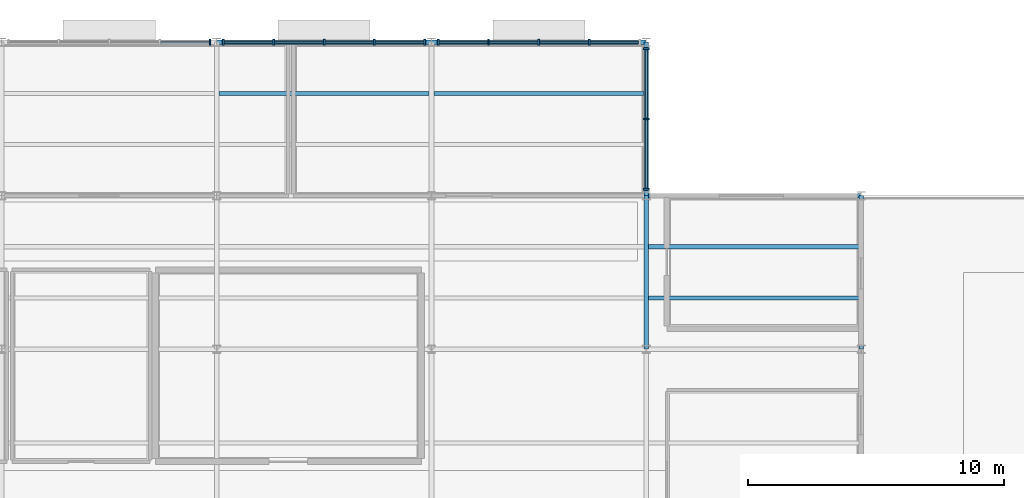
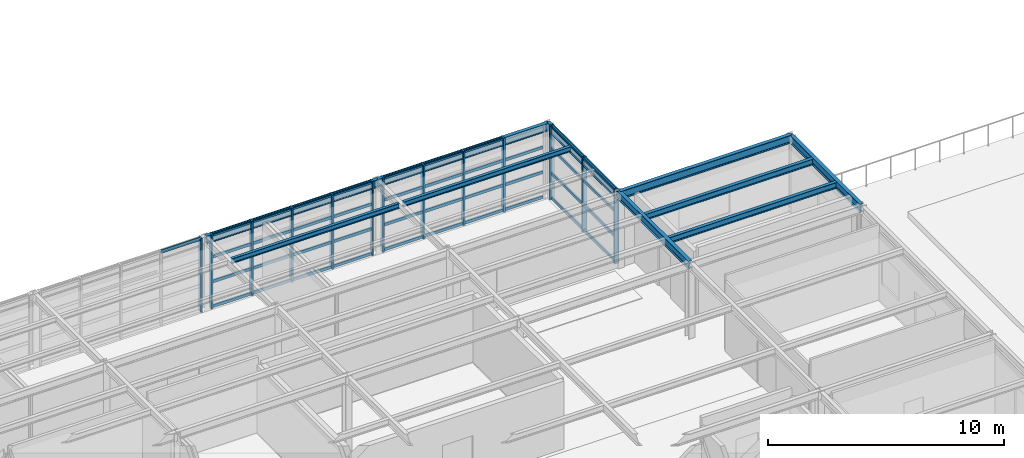
# One storey, part 28 of 49: 53 members, 10 beams, 4 elements without a shape of their own.
"""IFC4 building model written with IfcOpenShell, lengths in metres."""

from ifc_helpers import new_model, si_unit, direction, frame, origin, origin_2d, place, context, subcontext, project, spatial, rectangle, i_section, extrude, material, layer, layer_set, material_profile, profile_set, type_object, element, aggregate, save


model = new_model("IFC4")

# Units and contexts
model_context = context("Model", 3, precision=1e-05, world=origin(), true_north=direction((0.0, 1.0)))
body_context = subcontext(model_context, "Body", "Model", "MODEL_VIEW")
ifc_project = project(units=[si_unit("LENGTHUNIT", "METRE"), si_unit("AREAUNIT", "SQUARE_METRE"), si_unit("VOLUMEUNIT", "CUBIC_METRE"), si_unit("PLANEANGLEUNIT", "RADIAN"), si_unit("MASSUNIT", "GRAM", prefix="KILO")], contexts=[model_context])

# Site, building, storey
site_placement = place(None, origin())
site = spatial("IfcSite", under=ifc_project, at=site_placement, CompositionType="ELEMENT")
building_placement = place(site_placement, origin())
building = spatial("IfcBuilding", under=site, at=building_placement, Name="Sitalva Quay Ferry Terminal", CompositionType="ELEMENT")
storey_placement = place(building_placement, frame((0.0, 0.0, 10.199951171875)))
storey = spatial("IfcBuildingStorey", under=building, at=storey_placement, Name="L03", CompositionType="ELEMENT", Elevation=10.199951171875)

# Beams
ifc_material_1 = material(Name="Structural Steel S355JR", Category="steel")
ifc_material_profile_1 = material_profile(ifc_material_1, i_section(OverallWidth=0.178955078125, OverallDepth=0.409912109375, WebThickness=0.0087890625, FlangeThickness=0.014404296875, FilletRadius=0.012939453125, at=origin_2d()), Name="W410x67")
ifc_profile_set_1 = profile_set([ifc_material_profile_1], Name="Structural Steel S355JR")
beam_type_1 = type_object("IfcBeamType", Name="Beam_W410x67", PredefinedType="BEAM", material=ifc_profile_set_1)
for number, where, z_axis, x_axis, name in (
    (1, (117.60009765625, 100.0, 3.715087890625), (0.0, 1.0, 0.0), (-1.0, 0.0, 0.0), "L03 Primary Y girder 1242"),
    (2, (126.0, 100.0, 3.715087890625), (0.0, 1.0, 0.0), (-1.0, 0.0, 0.0), "L03 Primary Y girder 1245"),
):
    element("IfcBeam", number, at=place(storey_placement, frame(where, z_axis=z_axis, x_axis=x_axis)), inside=storey, type_object=beam_type_1, Name=name, PredefinedType="BEAM", context=body_context, shape_type="SweptSolid", body=[
        extrude(i_section(OverallWidth=0.178955078125, OverallDepth=0.409912109375, WebThickness=0.0087890625, FlangeThickness=0.014404296875, FilletRadius=0.012939453125, at=origin_2d()), origin(), (0.0, 0.0, 1.0), 6.0),
    ])
beam_1_placement = place(storey_placement, frame((100.800048828125, 112.0, 3.64501953125), z_axis=(1.0, 0.0, 0.0), x_axis=(0.0, 1.0, 0.0)))
element("IfcBeam", 3, at=beam_1_placement, inside=storey, type_object=beam_type_1, Name="L03 Primary X girder 1279", PredefinedType="BEAM", context=body_context, shape_type="SweptSolid", body=[
    extrude(i_section(OverallWidth=0.178955078125, OverallDepth=0.409912109375, WebThickness=0.0087890625, FlangeThickness=0.014404296875, FilletRadius=0.012939453125, at=origin_2d()), origin(), (0.0, 0.0, 1.0), 8.39990234375),
])
beam_2_placement = place(storey_placement, frame((109.199951171875, 112.0, 3.64501953125), z_axis=(1.0, 0.0, 0.0), x_axis=(0.0, 1.0, 0.0)))
element("IfcBeam", 4, at=beam_2_placement, inside=storey, type_object=beam_type_1, Name="L03 Primary X girder 1280", PredefinedType="BEAM", context=body_context, shape_type="SweptSolid", body=[
    extrude(i_section(OverallWidth=0.178955078125, OverallDepth=0.409912109375, WebThickness=0.0087890625, FlangeThickness=0.014404296875, FilletRadius=0.012939453125, at=origin_2d()), origin(), (0.0, 0.0, 1.0), 8.400146484375),
])
beam_3_placement = place(storey_placement, frame((117.60009765625, 106.0, 3.64501953125), z_axis=(0.0, 1.0, 0.0), x_axis=(-1.0, 0.0, 0.0)))
element("IfcBeam", 5, at=beam_3_placement, inside=storey, type_object=beam_type_1, Name="L03 Primary Y girder 1286", PredefinedType="BEAM", context=body_context, shape_type="SweptSolid", body=[
    extrude(i_section(OverallWidth=0.178955078125, OverallDepth=0.409912109375, WebThickness=0.0087890625, FlangeThickness=0.014404296875, FilletRadius=0.012939453125, at=origin_2d()), origin(), (0.0, 0.0, 1.0), 6.0),
])
ifc_material_2 = material(Name="Structural Steel S355JR", Category="steel")
ifc_material_profile_2 = material_profile(ifc_material_2, i_section(OverallWidth=0.180908203125, OverallDepth=0.4169921875, WebThickness=0.010986328125, FlangeThickness=0.018310546875, FilletRadius=0.012939453125, at=origin_2d()), Name="W410x85")
ifc_profile_set_2 = profile_set([ifc_material_profile_2], Name="Structural Steel S355JR")
beam_type_2 = type_object("IfcBeamType", Name="Beam_W410x85", PredefinedType="BEAM", material=ifc_profile_set_2)
beam_4_placement = place(storey_placement, frame((117.60009765625, 106.0, 3.711669921875), z_axis=(1.0, 0.0, 0.0), x_axis=(0.0, 1.0, 0.0)))
element("IfcBeam", 6, at=beam_4_placement, inside=storey, type_object=beam_type_2, Name="L03 Primary X girder 1224", PredefinedType="BEAM", context=body_context, shape_type="SweptSolid", body=[
    extrude(i_section(OverallWidth=0.180908203125, OverallDepth=0.4169921875, WebThickness=0.010986328125, FlangeThickness=0.018310546875, FilletRadius=0.012939453125, at=origin_2d()), origin(), (0.0, 0.0, 1.0), 8.39990234375),
])
ifc_material_3 = material(Name="Structural Steel S355JR", Category="steel")
ifc_material_profile_3 = material_profile(ifc_material_3, i_section(OverallWidth=0.14697265625, OverallDepth=0.261962890625, WebThickness=0.006591796875, FlangeThickness=0.01123046875, FilletRadius=0.010009765625, at=origin_2d()), Name="W250x39")
ifc_profile_set_3 = profile_set([ifc_material_profile_3], Name="Structural Steel S355JR")
beam_type_3 = type_object("IfcBeamType", Name="Joist_W250x39", PredefinedType="JOIST", material=ifc_profile_set_3)
beam_5_placement = place(storey_placement, frame((100.889404296875, 110.0, 3.718994140625), z_axis=(1.0, 0.0, 0.0), x_axis=(0.0, 1.0, 0.0)))
element("IfcBeam", 7, at=beam_5_placement, inside=storey, type_object=beam_type_3, Name="L03 Secondary joist 1295", PredefinedType="JOIST", context=body_context, shape_type="SweptSolid", body=[
    extrude(i_section(OverallWidth=0.14697265625, OverallDepth=0.261962890625, WebThickness=0.006591796875, FlangeThickness=0.01123046875, FilletRadius=0.010009765625, at=origin_2d()), origin(), (0.0, 0.0, 1.0), 8.22119140625),
])
beam_6_placement = place(storey_placement, frame((109.28955078125, 110.0, 3.718994140625), z_axis=(1.0, 0.0, 0.0), x_axis=(0.0, 1.0, 0.0)))
element("IfcBeam", 8, at=beam_6_placement, inside=storey, type_object=beam_type_3, Name="L03 Secondary joist 1296", PredefinedType="JOIST", context=body_context, shape_type="SweptSolid", body=[
    extrude(i_section(OverallWidth=0.14697265625, OverallDepth=0.261962890625, WebThickness=0.006591796875, FlangeThickness=0.01123046875, FilletRadius=0.010009765625, at=origin_2d()), origin(), (0.0, 0.0, 1.0), 8.220947265625),
])
ifc_material_4 = material(Name="Structural Steel S355JR", Category="steel")
ifc_material_profile_4 = material_profile(ifc_material_4, i_section(OverallWidth=0.166015625, OverallDepth=0.31298828125, WebThickness=0.006591796875, FlangeThickness=0.01123046875, FilletRadius=0.010986328125, at=origin_2d()), Name="W310x45")
ifc_profile_set_4 = profile_set([ifc_material_profile_4], Name="Structural Steel S355JR")
beam_type_4 = type_object("IfcBeamType", Name="Joist_W310x45", PredefinedType="JOIST", material=ifc_profile_set_4)
for number, where, z_axis, x_axis, name in (
    (9, (117.689453125, 102.0, 3.763427734375), (1.0, 0.0, 0.0), (0.0, 1.0, 0.0), "L03 Secondary joist 1269"),
    (10, (117.689453125, 104.0, 3.763427734375), (1.0, 0.0, 0.0), (0.0, 1.0, 0.0), "L03 Secondary joist 1275"),
):
    element("IfcBeam", number, at=place(storey_placement, frame(where, z_axis=z_axis, x_axis=x_axis)), inside=storey, type_object=beam_type_4, Name=name, PredefinedType="JOIST", context=body_context, shape_type="SweptSolid", body=[
        extrude(i_section(OverallWidth=0.166015625, OverallDepth=0.31298828125, WebThickness=0.006591796875, FlangeThickness=0.01123046875, FilletRadius=0.010986328125, at=origin_2d()), origin(), (0.0, 0.0, 1.0), 8.220947265625),
    ])

# Curtain wall, members
ifc_material_5 = material(Name="Anodised Aluminium & Low-E Glazing", Category="aluminium")
ifc_layer = layer(ifc_material_5, 0.159912109375)
ifc_layer_set = layer_set([ifc_layer], Name="Anodised Aluminium & Low-E Glazing")
curtain_wall_type = type_object("IfcCurtainWallType", Name="CW_Office_Unitised", PredefinedType="USERDEFINED", material=ifc_layer_set)
curtain_wall_1_placement = place(storey_placement, origin())
curtain_wall_1 = element("IfcCurtainWall", 11, at=curtain_wall_1_placement, inside=storey, type_object=curtain_wall_type, Name="L03 forecourt east return glazing (CW-L03-131)", ObjectType="CURTAIN_WALL", PredefinedType="USERDEFINED")
ifc_material_6 = material(Name="Anodised Aluminium 6063-T6", Category="aluminium")
ifc_material_profile_5 = material_profile(ifc_material_6, rectangle(XDim=0.074951171875, YDim=0.219970703125, at=origin_2d()), Name="ALU75x220")
ifc_profile_set_5 = profile_set([ifc_material_profile_5], Name="Anodised Aluminium 6063-T6")
member_type_1 = type_object("IfcMemberType", Name="Mullion_Alu_75x160", PredefinedType="MULLION", material=ifc_profile_set_5)
member_1_placement = place(storey_placement, frame((117.60009765625, 106.260009765625, 0.0), z_axis=(0.0, 0.0, 1.0), x_axis=(0.0, 1.0, 0.0)))
member_1 = element("IfcMember", 12, at=member_1_placement, type_object=member_type_1, Name="CW-L03-131-M0", PredefinedType="MULLION", context=body_context, shape_type="SweptSolid", body=[
    extrude(rectangle(XDim=0.074951171875, YDim=0.219970703125, at=origin_2d()), origin(), (0.0, 0.0, 1.0), 3.85009765625),
])
member_2_placement = place(storey_placement, frame((117.60009765625, 109.0, 0.0), z_axis=(0.0, 0.0, 1.0), x_axis=(0.0, 1.0, 0.0)))
member_2 = element("IfcMember", 13, at=member_2_placement, type_object=member_type_1, Name="CW-L03-131-M1", PredefinedType="MULLION", context=body_context, shape_type="SweptSolid", body=[
    extrude(rectangle(XDim=0.074951171875, YDim=0.219970703125, at=origin_2d()), origin(), (0.0, 0.0, 1.0), 3.85009765625),
])
member_3_placement = place(storey_placement, frame((117.60009765625, 111.739990234375, 0.0), z_axis=(0.0, 0.0, 1.0), x_axis=(0.0, 1.0, 0.0)))
member_3 = element("IfcMember", 14, at=member_3_placement, type_object=member_type_1, Name="CW-L03-131-M2", PredefinedType="MULLION", context=body_context, shape_type="SweptSolid", body=[
    extrude(rectangle(XDim=0.074951171875, YDim=0.219970703125, at=origin_2d()), origin(), (0.0, 0.0, 1.0), 3.85009765625),
])

# Curtain wall, member
curtain_wall_2_placement = place(storey_placement, origin())
curtain_wall_2 = element("IfcCurtainWall", 15, at=curtain_wall_2_placement, inside=storey, type_object=curtain_wall_type, Name="L03 maritime admin north glazing (CW-L03-134)", ObjectType="CURTAIN_WALL", PredefinedType="USERDEFINED")
member_4_placement = place(storey_placement, frame((100.5400390625, 112.0, 0.0), z_axis=(0.0, 0.0, 1.0), x_axis=(1.0, 0.0, 0.0)))
member_4 = element("IfcMember", 16, at=member_4_placement, type_object=member_type_1, Name="CW-L03-134-M4", PredefinedType="MULLION", context=body_context, shape_type="SweptSolid", body=[
    extrude(rectangle(XDim=0.074951171875, YDim=0.219970703125, at=origin_2d()), origin(), (0.0, 0.0, 1.0), 3.85009765625),
])

# Curtain wall, members
curtain_wall_3_placement = place(storey_placement, origin())
curtain_wall_3 = element("IfcCurtainWall", 17, at=curtain_wall_3_placement, inside=storey, type_object=curtain_wall_type, Name="L03 maritime admin north glazing (CW-L03-135)", ObjectType="CURTAIN_WALL", PredefinedType="USERDEFINED")
member_5_placement = place(storey_placement, frame((101.06005859375, 112.0, 0.0), z_axis=(0.0, 0.0, 1.0), x_axis=(1.0, 0.0, 0.0)))
member_5 = element("IfcMember", 18, at=member_5_placement, type_object=member_type_1, Name="CW-L03-135-M0", PredefinedType="MULLION", context=body_context, shape_type="SweptSolid", body=[
    extrude(rectangle(XDim=0.074951171875, YDim=0.219970703125, at=origin_2d()), origin(), (0.0, 0.0, 1.0), 3.85009765625),
])
member_6_placement = place(storey_placement, frame((103.030029296875, 112.0, 0.0), z_axis=(0.0, 0.0, 1.0), x_axis=(1.0, 0.0, 0.0)))
member_6 = element("IfcMember", 19, at=member_6_placement, type_object=member_type_1, Name="CW-L03-135-M1", PredefinedType="MULLION", context=body_context, shape_type="SweptSolid", body=[
    extrude(rectangle(XDim=0.074951171875, YDim=0.219970703125, at=origin_2d()), origin(), (0.0, 0.0, 1.0), 3.85009765625),
])
member_7_placement = place(storey_placement, frame((105.0, 112.0, 0.0), z_axis=(0.0, 0.0, 1.0), x_axis=(1.0, 0.0, 0.0)))
member_7 = element("IfcMember", 20, at=member_7_placement, type_object=member_type_1, Name="CW-L03-135-M2", PredefinedType="MULLION", context=body_context, shape_type="SweptSolid", body=[
    extrude(rectangle(XDim=0.074951171875, YDim=0.219970703125, at=origin_2d()), origin(), (0.0, 0.0, 1.0), 3.85009765625),
])
member_8_placement = place(storey_placement, frame((106.969970703125, 112.0, 0.0), z_axis=(0.0, 0.0, 1.0), x_axis=(1.0, 0.0, 0.0)))
member_8 = element("IfcMember", 21, at=member_8_placement, type_object=member_type_1, Name="CW-L03-135-M3", PredefinedType="MULLION", context=body_context, shape_type="SweptSolid", body=[
    extrude(rectangle(XDim=0.074951171875, YDim=0.219970703125, at=origin_2d()), origin(), (0.0, 0.0, 1.0), 3.85009765625),
])
member_9_placement = place(storey_placement, frame((108.93994140625, 112.0, 0.0), z_axis=(0.0, 0.0, 1.0), x_axis=(1.0, 0.0, 0.0)))
member_9 = element("IfcMember", 22, at=member_9_placement, type_object=member_type_1, Name="CW-L03-135-M4", PredefinedType="MULLION", context=body_context, shape_type="SweptSolid", body=[
    extrude(rectangle(XDim=0.074951171875, YDim=0.219970703125, at=origin_2d()), origin(), (0.0, 0.0, 1.0), 3.85009765625),
])

curtain_wall_4_placement = place(storey_placement, origin())
curtain_wall_4 = element("IfcCurtainWall", 23, at=curtain_wall_4_placement, inside=storey, type_object=curtain_wall_type, Name="L03 maritime admin north glazing (CW-L03-136)", ObjectType="CURTAIN_WALL", PredefinedType="USERDEFINED")
member_10_placement = place(storey_placement, frame((109.4599609375, 112.0, 0.0), z_axis=(0.0, 0.0, 1.0), x_axis=(1.0, 0.0, 0.0)))
member_10 = element("IfcMember", 24, at=member_10_placement, type_object=member_type_1, Name="CW-L03-136-M0", PredefinedType="MULLION", context=body_context, shape_type="SweptSolid", body=[
    extrude(rectangle(XDim=0.074951171875, YDim=0.219970703125, at=origin_2d()), origin(), (0.0, 0.0, 1.0), 3.85009765625),
])
member_11_placement = place(storey_placement, frame((111.429931640625, 112.0, 0.0), z_axis=(0.0, 0.0, 1.0), x_axis=(1.0, 0.0, 0.0)))
member_11 = element("IfcMember", 25, at=member_11_placement, type_object=member_type_1, Name="CW-L03-136-M1", PredefinedType="MULLION", context=body_context, shape_type="SweptSolid", body=[
    extrude(rectangle(XDim=0.074951171875, YDim=0.219970703125, at=origin_2d()), origin(), (0.0, 0.0, 1.0), 3.85009765625),
])
member_12_placement = place(storey_placement, frame((113.39990234375, 112.0, 0.0), z_axis=(0.0, 0.0, 1.0), x_axis=(1.0, 0.0, 0.0)))
member_12 = element("IfcMember", 26, at=member_12_placement, type_object=member_type_1, Name="CW-L03-136-M2", PredefinedType="MULLION", context=body_context, shape_type="SweptSolid", body=[
    extrude(rectangle(XDim=0.074951171875, YDim=0.219970703125, at=origin_2d()), origin(), (0.0, 0.0, 1.0), 3.85009765625),
])
member_13_placement = place(storey_placement, frame((115.3701171875, 112.0, 0.0), z_axis=(0.0, 0.0, 1.0), x_axis=(1.0, 0.0, 0.0)))
member_13 = element("IfcMember", 27, at=member_13_placement, type_object=member_type_1, Name="CW-L03-136-M3", PredefinedType="MULLION", context=body_context, shape_type="SweptSolid", body=[
    extrude(rectangle(XDim=0.074951171875, YDim=0.219970703125, at=origin_2d()), origin(), (0.0, 0.0, 1.0), 3.85009765625),
])

# Member
ifc_material_7 = material(Name="Anodised Aluminium 6063-T6", Category="aluminium")
ifc_material_profile_6 = material_profile(ifc_material_7, rectangle(XDim=0.074951171875, YDim=0.14990234375, at=origin_2d()), Name="ALU75x150")
ifc_profile_set_6 = profile_set([ifc_material_profile_6], Name="Anodised Aluminium 6063-T6")
member_type_2 = type_object("IfcMemberType", Name="Transom_Alu_75x140", PredefinedType="MULLION", material=ifc_profile_set_6)
member_14_placement = place(storey_placement, frame((117.60009765625, 106.297607421875, 0.074951171875), z_axis=(0.0, 1.0, 0.0), x_axis=(-1.0, 0.0, 0.0)))
member_14 = element("IfcMember", 28, at=member_14_placement, type_object=member_type_2, Name="CW-L03-131-T0-0", ObjectType="TRANSOM", PredefinedType="USERDEFINED", context=body_context, shape_type="SweptSolid", body=[
    extrude(rectangle(XDim=0.074951171875, YDim=0.14990234375, at=origin_2d()), origin(), (0.0, 0.0, 1.0), 2.664794921875),
])

member_15_placement = place(storey_placement, frame((117.60009765625, 106.297607421875, 1.3583984375), z_axis=(0.0, 1.0, 0.0), x_axis=(-1.0, 0.0, 0.0)))
member_15 = element("IfcMember", 29, at=member_15_placement, type_object=member_type_2, Name="CW-L03-131-T0-1", ObjectType="TRANSOM", PredefinedType="USERDEFINED", context=body_context, shape_type="SweptSolid", body=[
    extrude(rectangle(XDim=0.074951171875, YDim=0.14990234375, at=origin_2d()), origin(), (0.0, 0.0, 1.0), 2.664794921875),
])

member_16_placement = place(storey_placement, frame((117.60009765625, 106.297607421875, 2.6416015625), z_axis=(0.0, 1.0, 0.0), x_axis=(-1.0, 0.0, 0.0)))
member_16 = element("IfcMember", 30, at=member_16_placement, type_object=member_type_2, Name="CW-L03-131-T0-2", ObjectType="TRANSOM", PredefinedType="USERDEFINED", context=body_context, shape_type="SweptSolid", body=[
    extrude(rectangle(XDim=0.074951171875, YDim=0.14990234375, at=origin_2d()), origin(), (0.0, 0.0, 1.0), 2.664794921875),
])

member_17_placement = place(storey_placement, frame((117.60009765625, 106.297607421875, 3.775146484375), z_axis=(0.0, 1.0, 0.0), x_axis=(-1.0, 0.0, 0.0)))
member_17 = element("IfcMember", 31, at=member_17_placement, type_object=member_type_2, Name="CW-L03-131-T0-3", ObjectType="TRANSOM", PredefinedType="USERDEFINED", context=body_context, shape_type="SweptSolid", body=[
    extrude(rectangle(XDim=0.074951171875, YDim=0.14990234375, at=origin_2d()), origin(), (0.0, 0.0, 1.0), 2.664794921875),
])

member_18_placement = place(storey_placement, frame((117.60009765625, 109.03759765625, 0.074951171875), z_axis=(0.0, 1.0, 0.0), x_axis=(-1.0, 0.0, 0.0)))
member_18 = element("IfcMember", 32, at=member_18_placement, type_object=member_type_2, Name="CW-L03-131-T1-0", ObjectType="TRANSOM", PredefinedType="USERDEFINED", context=body_context, shape_type="SweptSolid", body=[
    extrude(rectangle(XDim=0.074951171875, YDim=0.14990234375, at=origin_2d()), origin(), (0.0, 0.0, 1.0), 2.664794921875),
])

member_19_placement = place(storey_placement, frame((117.60009765625, 109.03759765625, 1.3583984375), z_axis=(0.0, 1.0, 0.0), x_axis=(-1.0, 0.0, 0.0)))
member_19 = element("IfcMember", 33, at=member_19_placement, type_object=member_type_2, Name="CW-L03-131-T1-1", ObjectType="TRANSOM", PredefinedType="USERDEFINED", context=body_context, shape_type="SweptSolid", body=[
    extrude(rectangle(XDim=0.074951171875, YDim=0.14990234375, at=origin_2d()), origin(), (0.0, 0.0, 1.0), 2.664794921875),
])

member_20_placement = place(storey_placement, frame((117.60009765625, 109.03759765625, 2.6416015625), z_axis=(0.0, 1.0, 0.0), x_axis=(-1.0, 0.0, 0.0)))
member_20 = element("IfcMember", 34, at=member_20_placement, type_object=member_type_2, Name="CW-L03-131-T1-2", ObjectType="TRANSOM", PredefinedType="USERDEFINED", context=body_context, shape_type="SweptSolid", body=[
    extrude(rectangle(XDim=0.074951171875, YDim=0.14990234375, at=origin_2d()), origin(), (0.0, 0.0, 1.0), 2.664794921875),
])

member_21_placement = place(storey_placement, frame((117.60009765625, 109.03759765625, 3.775146484375), z_axis=(0.0, 1.0, 0.0), x_axis=(-1.0, 0.0, 0.0)))
member_21 = element("IfcMember", 35, at=member_21_placement, type_object=member_type_2, Name="CW-L03-131-T1-3", ObjectType="TRANSOM", PredefinedType="USERDEFINED", context=body_context, shape_type="SweptSolid", body=[
    extrude(rectangle(XDim=0.074951171875, YDim=0.14990234375, at=origin_2d()), origin(), (0.0, 0.0, 1.0), 2.664794921875),
])

aggregate(curtain_wall_1, [member_1, member_2, member_3, member_14, member_15, member_16, member_17, member_18, member_19, member_20, member_21])

member_22_placement = place(storey_placement, frame((98.607421875, 112.0, 3.775146484375), z_axis=(1.0, 0.0, 0.0), x_axis=(0.0, 1.0, 0.0)))
member_22 = element("IfcMember", 36, at=member_22_placement, type_object=member_type_2, Name="CW-L03-134-T3-3", ObjectType="TRANSOM", PredefinedType="USERDEFINED", context=body_context, shape_type="SweptSolid", body=[
    extrude(rectangle(XDim=0.074951171875, YDim=0.14990234375, at=origin_2d()), origin(), (0.0, 0.0, 1.0), 1.89501953125),
])

aggregate(curtain_wall_2, [member_4, member_22])

member_23_placement = place(storey_placement, frame((101.097412109375, 112.0, 0.074951171875), z_axis=(1.0, 0.0, 0.0), x_axis=(0.0, 1.0, 0.0)))
member_23 = element("IfcMember", 37, at=member_23_placement, type_object=member_type_2, Name="CW-L03-135-T0-0", ObjectType="TRANSOM", PredefinedType="USERDEFINED", context=body_context, shape_type="SweptSolid", body=[
    extrude(rectangle(XDim=0.074951171875, YDim=0.14990234375, at=origin_2d()), origin(), (0.0, 0.0, 1.0), 1.89501953125),
])

member_24_placement = place(storey_placement, frame((101.097412109375, 112.0, 1.3583984375), z_axis=(1.0, 0.0, 0.0), x_axis=(0.0, 1.0, 0.0)))
member_24 = element("IfcMember", 38, at=member_24_placement, type_object=member_type_2, Name="CW-L03-135-T0-1", ObjectType="TRANSOM", PredefinedType="USERDEFINED", context=body_context, shape_type="SweptSolid", body=[
    extrude(rectangle(XDim=0.074951171875, YDim=0.14990234375, at=origin_2d()), origin(), (0.0, 0.0, 1.0), 1.89501953125),
])

member_25_placement = place(storey_placement, frame((101.097412109375, 112.0, 2.6416015625), z_axis=(1.0, 0.0, 0.0), x_axis=(0.0, 1.0, 0.0)))
member_25 = element("IfcMember", 39, at=member_25_placement, type_object=member_type_2, Name="CW-L03-135-T0-2", ObjectType="TRANSOM", PredefinedType="USERDEFINED", context=body_context, shape_type="SweptSolid", body=[
    extrude(rectangle(XDim=0.074951171875, YDim=0.14990234375, at=origin_2d()), origin(), (0.0, 0.0, 1.0), 1.89501953125),
])

member_26_placement = place(storey_placement, frame((101.097412109375, 112.0, 3.775146484375), z_axis=(1.0, 0.0, 0.0), x_axis=(0.0, 1.0, 0.0)))
member_26 = element("IfcMember", 40, at=member_26_placement, type_object=member_type_2, Name="CW-L03-135-T0-3", ObjectType="TRANSOM", PredefinedType="USERDEFINED", context=body_context, shape_type="SweptSolid", body=[
    extrude(rectangle(XDim=0.074951171875, YDim=0.14990234375, at=origin_2d()), origin(), (0.0, 0.0, 1.0), 1.89501953125),
])

member_27_placement = place(storey_placement, frame((103.0673828125, 112.0, 0.074951171875), z_axis=(1.0, 0.0, 0.0), x_axis=(0.0, 1.0, 0.0)))
member_27 = element("IfcMember", 41, at=member_27_placement, type_object=member_type_2, Name="CW-L03-135-T1-0", ObjectType="TRANSOM", PredefinedType="USERDEFINED", context=body_context, shape_type="SweptSolid", body=[
    extrude(rectangle(XDim=0.074951171875, YDim=0.14990234375, at=origin_2d()), origin(), (0.0, 0.0, 1.0), 1.89501953125),
])

member_28_placement = place(storey_placement, frame((103.0673828125, 112.0, 1.3583984375), z_axis=(1.0, 0.0, 0.0), x_axis=(0.0, 1.0, 0.0)))
member_28 = element("IfcMember", 42, at=member_28_placement, type_object=member_type_2, Name="CW-L03-135-T1-1", ObjectType="TRANSOM", PredefinedType="USERDEFINED", context=body_context, shape_type="SweptSolid", body=[
    extrude(rectangle(XDim=0.074951171875, YDim=0.14990234375, at=origin_2d()), origin(), (0.0, 0.0, 1.0), 1.89501953125),
])

member_29_placement = place(storey_placement, frame((103.0673828125, 112.0, 2.6416015625), z_axis=(1.0, 0.0, 0.0), x_axis=(0.0, 1.0, 0.0)))
member_29 = element("IfcMember", 43, at=member_29_placement, type_object=member_type_2, Name="CW-L03-135-T1-2", ObjectType="TRANSOM", PredefinedType="USERDEFINED", context=body_context, shape_type="SweptSolid", body=[
    extrude(rectangle(XDim=0.074951171875, YDim=0.14990234375, at=origin_2d()), origin(), (0.0, 0.0, 1.0), 1.89501953125),
])

member_30_placement = place(storey_placement, frame((103.0673828125, 112.0, 3.775146484375), z_axis=(1.0, 0.0, 0.0), x_axis=(0.0, 1.0, 0.0)))
member_30 = element("IfcMember", 44, at=member_30_placement, type_object=member_type_2, Name="CW-L03-135-T1-3", ObjectType="TRANSOM", PredefinedType="USERDEFINED", context=body_context, shape_type="SweptSolid", body=[
    extrude(rectangle(XDim=0.074951171875, YDim=0.14990234375, at=origin_2d()), origin(), (0.0, 0.0, 1.0), 1.89501953125),
])

member_31_placement = place(storey_placement, frame((105.03759765625, 112.0, 0.074951171875), z_axis=(1.0, 0.0, 0.0), x_axis=(0.0, 1.0, 0.0)))
member_31 = element("IfcMember", 45, at=member_31_placement, type_object=member_type_2, Name="CW-L03-135-T2-0", ObjectType="TRANSOM", PredefinedType="USERDEFINED", context=body_context, shape_type="SweptSolid", body=[
    extrude(rectangle(XDim=0.074951171875, YDim=0.14990234375, at=origin_2d()), origin(), (0.0, 0.0, 1.0), 1.89501953125),
])

member_32_placement = place(storey_placement, frame((105.03759765625, 112.0, 1.3583984375), z_axis=(1.0, 0.0, 0.0), x_axis=(0.0, 1.0, 0.0)))
member_32 = element("IfcMember", 46, at=member_32_placement, type_object=member_type_2, Name="CW-L03-135-T2-1", ObjectType="TRANSOM", PredefinedType="USERDEFINED", context=body_context, shape_type="SweptSolid", body=[
    extrude(rectangle(XDim=0.074951171875, YDim=0.14990234375, at=origin_2d()), origin(), (0.0, 0.0, 1.0), 1.89501953125),
])

member_33_placement = place(storey_placement, frame((105.03759765625, 112.0, 2.6416015625), z_axis=(1.0, 0.0, 0.0), x_axis=(0.0, 1.0, 0.0)))
member_33 = element("IfcMember", 47, at=member_33_placement, type_object=member_type_2, Name="CW-L03-135-T2-2", ObjectType="TRANSOM", PredefinedType="USERDEFINED", context=body_context, shape_type="SweptSolid", body=[
    extrude(rectangle(XDim=0.074951171875, YDim=0.14990234375, at=origin_2d()), origin(), (0.0, 0.0, 1.0), 1.89501953125),
])

member_34_placement = place(storey_placement, frame((105.03759765625, 112.0, 3.775146484375), z_axis=(1.0, 0.0, 0.0), x_axis=(0.0, 1.0, 0.0)))
member_34 = element("IfcMember", 48, at=member_34_placement, type_object=member_type_2, Name="CW-L03-135-T2-3", ObjectType="TRANSOM", PredefinedType="USERDEFINED", context=body_context, shape_type="SweptSolid", body=[
    extrude(rectangle(XDim=0.074951171875, YDim=0.14990234375, at=origin_2d()), origin(), (0.0, 0.0, 1.0), 1.89501953125),
])

member_35_placement = place(storey_placement, frame((107.007568359375, 112.0, 0.074951171875), z_axis=(1.0, 0.0, 0.0), x_axis=(0.0, 1.0, 0.0)))
member_35 = element("IfcMember", 49, at=member_35_placement, type_object=member_type_2, Name="CW-L03-135-T3-0", ObjectType="TRANSOM", PredefinedType="USERDEFINED", context=body_context, shape_type="SweptSolid", body=[
    extrude(rectangle(XDim=0.074951171875, YDim=0.14990234375, at=origin_2d()), origin(), (0.0, 0.0, 1.0), 1.89501953125),
])

member_36_placement = place(storey_placement, frame((107.007568359375, 112.0, 1.3583984375), z_axis=(1.0, 0.0, 0.0), x_axis=(0.0, 1.0, 0.0)))
member_36 = element("IfcMember", 50, at=member_36_placement, type_object=member_type_2, Name="CW-L03-135-T3-1", ObjectType="TRANSOM", PredefinedType="USERDEFINED", context=body_context, shape_type="SweptSolid", body=[
    extrude(rectangle(XDim=0.074951171875, YDim=0.14990234375, at=origin_2d()), origin(), (0.0, 0.0, 1.0), 1.89501953125),
])

member_37_placement = place(storey_placement, frame((107.007568359375, 112.0, 2.6416015625), z_axis=(1.0, 0.0, 0.0), x_axis=(0.0, 1.0, 0.0)))
member_37 = element("IfcMember", 51, at=member_37_placement, type_object=member_type_2, Name="CW-L03-135-T3-2", ObjectType="TRANSOM", PredefinedType="USERDEFINED", context=body_context, shape_type="SweptSolid", body=[
    extrude(rectangle(XDim=0.074951171875, YDim=0.14990234375, at=origin_2d()), origin(), (0.0, 0.0, 1.0), 1.89501953125),
])

member_38_placement = place(storey_placement, frame((107.007568359375, 112.0, 3.775146484375), z_axis=(1.0, 0.0, 0.0), x_axis=(0.0, 1.0, 0.0)))
member_38 = element("IfcMember", 52, at=member_38_placement, type_object=member_type_2, Name="CW-L03-135-T3-3", ObjectType="TRANSOM", PredefinedType="USERDEFINED", context=body_context, shape_type="SweptSolid", body=[
    extrude(rectangle(XDim=0.074951171875, YDim=0.14990234375, at=origin_2d()), origin(), (0.0, 0.0, 1.0), 1.89501953125),
])

aggregate(curtain_wall_3, [member_5, member_6, member_7, member_8, member_9, member_23, member_24, member_25, member_26, member_27, member_28, member_29, member_30, member_31, member_32, member_33, member_34, member_35, member_36, member_37, member_38])

member_39_placement = place(storey_placement, frame((109.49755859375, 112.0, 0.074951171875), z_axis=(1.0, 0.0, 0.0), x_axis=(0.0, 1.0, 0.0)))
member_39 = element("IfcMember", 53, at=member_39_placement, type_object=member_type_2, Name="CW-L03-136-T0-0", ObjectType="TRANSOM", PredefinedType="USERDEFINED", context=body_context, shape_type="SweptSolid", body=[
    extrude(rectangle(XDim=0.074951171875, YDim=0.14990234375, at=origin_2d()), origin(), (0.0, 0.0, 1.0), 1.89501953125),
])

member_40_placement = place(storey_placement, frame((109.49755859375, 112.0, 1.3583984375), z_axis=(1.0, 0.0, 0.0), x_axis=(0.0, 1.0, 0.0)))
member_40 = element("IfcMember", 54, at=member_40_placement, type_object=member_type_2, Name="CW-L03-136-T0-1", ObjectType="TRANSOM", PredefinedType="USERDEFINED", context=body_context, shape_type="SweptSolid", body=[
    extrude(rectangle(XDim=0.074951171875, YDim=0.14990234375, at=origin_2d()), origin(), (0.0, 0.0, 1.0), 1.89501953125),
])

member_41_placement = place(storey_placement, frame((109.49755859375, 112.0, 2.6416015625), z_axis=(1.0, 0.0, 0.0), x_axis=(0.0, 1.0, 0.0)))
member_41 = element("IfcMember", 55, at=member_41_placement, type_object=member_type_2, Name="CW-L03-136-T0-2", ObjectType="TRANSOM", PredefinedType="USERDEFINED", context=body_context, shape_type="SweptSolid", body=[
    extrude(rectangle(XDim=0.074951171875, YDim=0.14990234375, at=origin_2d()), origin(), (0.0, 0.0, 1.0), 1.89501953125),
])

member_42_placement = place(storey_placement, frame((109.49755859375, 112.0, 3.775146484375), z_axis=(1.0, 0.0, 0.0), x_axis=(0.0, 1.0, 0.0)))
member_42 = element("IfcMember", 56, at=member_42_placement, type_object=member_type_2, Name="CW-L03-136-T0-3", ObjectType="TRANSOM", PredefinedType="USERDEFINED", context=body_context, shape_type="SweptSolid", body=[
    extrude(rectangle(XDim=0.074951171875, YDim=0.14990234375, at=origin_2d()), origin(), (0.0, 0.0, 1.0), 1.89501953125),
])

member_43_placement = place(storey_placement, frame((111.467529296875, 112.0, 0.074951171875), z_axis=(1.0, 0.0, 0.0), x_axis=(0.0, 1.0, 0.0)))
member_43 = element("IfcMember", 57, at=member_43_placement, type_object=member_type_2, Name="CW-L03-136-T1-0", ObjectType="TRANSOM", PredefinedType="USERDEFINED", context=body_context, shape_type="SweptSolid", body=[
    extrude(rectangle(XDim=0.074951171875, YDim=0.14990234375, at=origin_2d()), origin(), (0.0, 0.0, 1.0), 1.89501953125),
])

member_44_placement = place(storey_placement, frame((111.467529296875, 112.0, 1.3583984375), z_axis=(1.0, 0.0, 0.0), x_axis=(0.0, 1.0, 0.0)))
member_44 = element("IfcMember", 58, at=member_44_placement, type_object=member_type_2, Name="CW-L03-136-T1-1", ObjectType="TRANSOM", PredefinedType="USERDEFINED", context=body_context, shape_type="SweptSolid", body=[
    extrude(rectangle(XDim=0.074951171875, YDim=0.14990234375, at=origin_2d()), origin(), (0.0, 0.0, 1.0), 1.89501953125),
])

member_45_placement = place(storey_placement, frame((111.467529296875, 112.0, 2.6416015625), z_axis=(1.0, 0.0, 0.0), x_axis=(0.0, 1.0, 0.0)))
member_45 = element("IfcMember", 59, at=member_45_placement, type_object=member_type_2, Name="CW-L03-136-T1-2", ObjectType="TRANSOM", PredefinedType="USERDEFINED", context=body_context, shape_type="SweptSolid", body=[
    extrude(rectangle(XDim=0.074951171875, YDim=0.14990234375, at=origin_2d()), origin(), (0.0, 0.0, 1.0), 1.89501953125),
])

member_46_placement = place(storey_placement, frame((111.467529296875, 112.0, 3.775146484375), z_axis=(1.0, 0.0, 0.0), x_axis=(0.0, 1.0, 0.0)))
member_46 = element("IfcMember", 60, at=member_46_placement, type_object=member_type_2, Name="CW-L03-136-T1-3", ObjectType="TRANSOM", PredefinedType="USERDEFINED", context=body_context, shape_type="SweptSolid", body=[
    extrude(rectangle(XDim=0.074951171875, YDim=0.14990234375, at=origin_2d()), origin(), (0.0, 0.0, 1.0), 1.89501953125),
])

member_47_placement = place(storey_placement, frame((113.4375, 112.0, 0.074951171875), z_axis=(1.0, 0.0, 0.0), x_axis=(0.0, 1.0, 0.0)))
member_47 = element("IfcMember", 61, at=member_47_placement, type_object=member_type_2, Name="CW-L03-136-T2-0", ObjectType="TRANSOM", PredefinedType="USERDEFINED", context=body_context, shape_type="SweptSolid", body=[
    extrude(rectangle(XDim=0.074951171875, YDim=0.14990234375, at=origin_2d()), origin(), (0.0, 0.0, 1.0), 1.89501953125),
])

member_48_placement = place(storey_placement, frame((113.4375, 112.0, 1.3583984375), z_axis=(1.0, 0.0, 0.0), x_axis=(0.0, 1.0, 0.0)))
member_48 = element("IfcMember", 62, at=member_48_placement, type_object=member_type_2, Name="CW-L03-136-T2-1", ObjectType="TRANSOM", PredefinedType="USERDEFINED", context=body_context, shape_type="SweptSolid", body=[
    extrude(rectangle(XDim=0.074951171875, YDim=0.14990234375, at=origin_2d()), origin(), (0.0, 0.0, 1.0), 1.89501953125),
])

member_49_placement = place(storey_placement, frame((113.4375, 112.0, 2.6416015625), z_axis=(1.0, 0.0, 0.0), x_axis=(0.0, 1.0, 0.0)))
member_49 = element("IfcMember", 63, at=member_49_placement, type_object=member_type_2, Name="CW-L03-136-T2-2", ObjectType="TRANSOM", PredefinedType="USERDEFINED", context=body_context, shape_type="SweptSolid", body=[
    extrude(rectangle(XDim=0.074951171875, YDim=0.14990234375, at=origin_2d()), origin(), (0.0, 0.0, 1.0), 1.89501953125),
])

member_50_placement = place(storey_placement, frame((113.4375, 112.0, 3.775146484375), z_axis=(1.0, 0.0, 0.0), x_axis=(0.0, 1.0, 0.0)))
member_50 = element("IfcMember", 64, at=member_50_placement, type_object=member_type_2, Name="CW-L03-136-T2-3", ObjectType="TRANSOM", PredefinedType="USERDEFINED", context=body_context, shape_type="SweptSolid", body=[
    extrude(rectangle(XDim=0.074951171875, YDim=0.14990234375, at=origin_2d()), origin(), (0.0, 0.0, 1.0), 1.89501953125),
])

member_51_placement = place(storey_placement, frame((115.407470703125, 112.0, 0.074951171875), z_axis=(1.0, 0.0, 0.0), x_axis=(0.0, 1.0, 0.0)))
member_51 = element("IfcMember", 65, at=member_51_placement, type_object=member_type_2, Name="CW-L03-136-T3-0", ObjectType="TRANSOM", PredefinedType="USERDEFINED", context=body_context, shape_type="SweptSolid", body=[
    extrude(rectangle(XDim=0.074951171875, YDim=0.14990234375, at=origin_2d()), origin(), (0.0, 0.0, 1.0), 1.89501953125),
])

member_52_placement = place(storey_placement, frame((115.407470703125, 112.0, 1.3583984375), z_axis=(1.0, 0.0, 0.0), x_axis=(0.0, 1.0, 0.0)))
member_52 = element("IfcMember", 66, at=member_52_placement, type_object=member_type_2, Name="CW-L03-136-T3-1", ObjectType="TRANSOM", PredefinedType="USERDEFINED", context=body_context, shape_type="SweptSolid", body=[
    extrude(rectangle(XDim=0.074951171875, YDim=0.14990234375, at=origin_2d()), origin(), (0.0, 0.0, 1.0), 1.89501953125),
])

member_53_placement = place(storey_placement, frame((115.407470703125, 112.0, 2.6416015625), z_axis=(1.0, 0.0, 0.0), x_axis=(0.0, 1.0, 0.0)))
member_53 = element("IfcMember", 67, at=member_53_placement, type_object=member_type_2, Name="CW-L03-136-T3-2", ObjectType="TRANSOM", PredefinedType="USERDEFINED", context=body_context, shape_type="SweptSolid", body=[
    extrude(rectangle(XDim=0.074951171875, YDim=0.14990234375, at=origin_2d()), origin(), (0.0, 0.0, 1.0), 1.89501953125),
])

aggregate(curtain_wall_4, [member_10, member_11, member_12, member_13, member_39, member_40, member_41, member_42, member_43, member_44, member_45, member_46, member_47, member_48, member_49, member_50, member_51, member_52, member_53])

save(model, "model.ifc")
